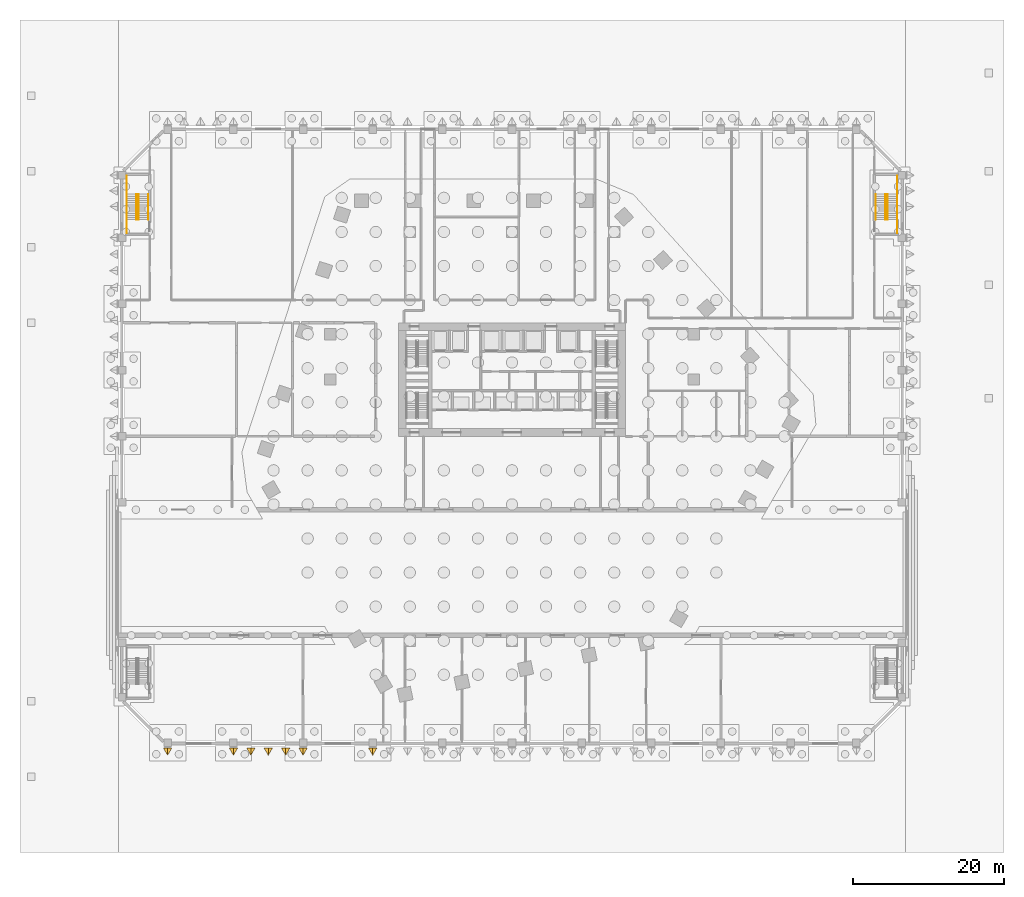
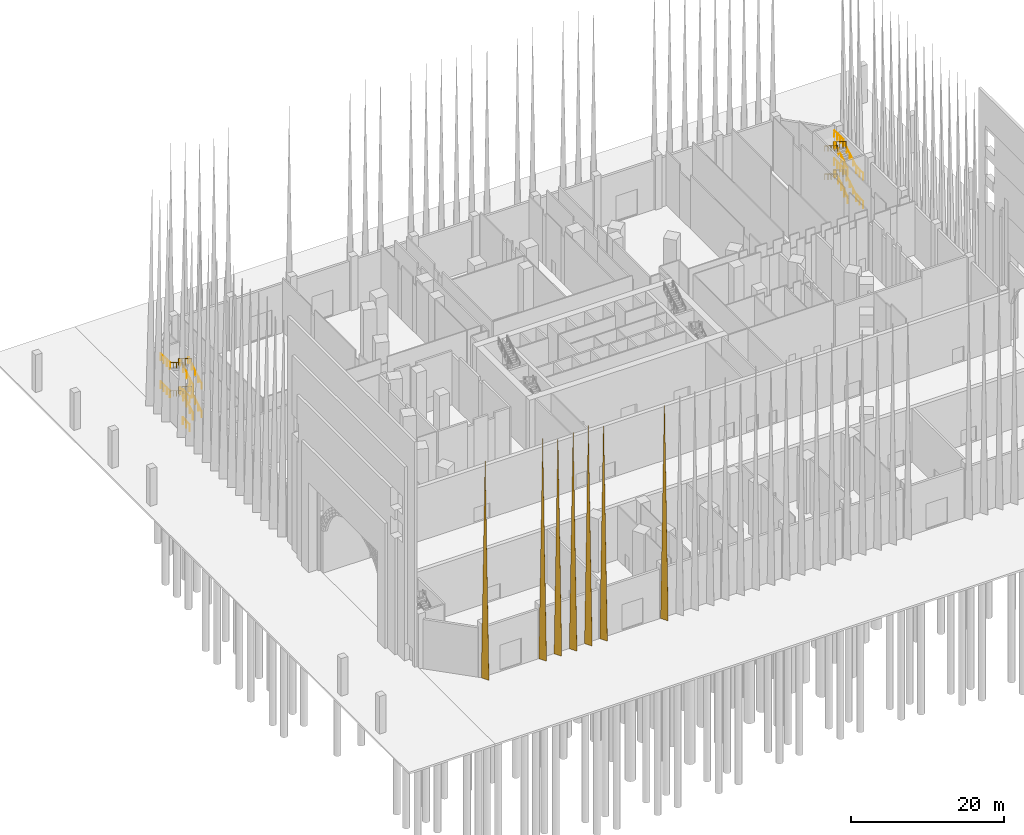
# One storey, part 28 of 32: 24 railings, 7 coverings.
"""IFC4 building model written with IfcOpenShell, lengths in metres."""

from ifc_helpers import new_model, si_unit, direction, frame, origin, origin_2d, place, context, subcontext, project, spatial, polyline, circle, outline, extrude, faceted_brep, material, material_profile, profile_set, type_object, element, save


model = new_model("IFC4")

# Units and contexts
model_context = context("Model", 3, precision=1e-05, world=origin(), true_north=direction((0.0, 1.0)))
body_context = subcontext(model_context, "Body", "Model", "MODEL_VIEW")
ifc_project = project(units=[si_unit("LENGTHUNIT", "METRE"), si_unit("AREAUNIT", "SQUARE_METRE"), si_unit("VOLUMEUNIT", "CUBIC_METRE"), si_unit("PLANEANGLEUNIT", "RADIAN"), si_unit("MASSUNIT", "GRAM", prefix="KILO")], contexts=[model_context])

# Site, building, storey
site_placement = place(None, origin())
site = spatial("IfcSite", under=ifc_project, at=site_placement, CompositionType="ELEMENT")
building_placement = place(site_placement, origin())
building = spatial("IfcBuilding", under=site, at=building_placement, Name="Isthmus Gate Tower", CompositionType="ELEMENT")
storey_placement = place(building_placement, origin())
storey = spatial("IfcBuildingStorey", under=building, at=storey_placement, Name="L00", CompositionType="ELEMENT", Elevation=0.0)

# Coverings
ifc_material_1 = material(Name="Structural steel ASTM A572 Gr 50, white paint system", Category="steel")
ifc_material_profile = material_profile(ifc_material_1, outline(polyline([(0.0, -0.577392578125), (1.0, 0.0), (0.0, 0.577392578125), (0.0, 0.542724609375), (0.93994140625, 0.0), (0.0, -0.542724609375), (0.0, -0.577392578125)])), Name="PV1000")
ifc_profile_set = profile_set([ifc_material_profile], Name="Structural steel ASTM A572 Gr 50, white paint system")
covering_type = type_object("IfcCoveringType", Name="PODIUM FIN V 1000 DEEP", PredefinedType="CLADDING", material=ifc_profile_set)
covering_1_placement = place(storey_placement, origin())
element("IfcCovering", 1, at=covering_1_placement, inside=storey, type_object=covering_type, Name="PODIUM FIN", ObjectType="PODIUM FIN", PredefinedType="CLADDING", context=body_context, shape_type="Brep", body=[
    faceted_brep([(-46.042724609375, -41.14990234375, 0.10009765625), (-45.5, -42.08984375, 0.10009765625), (-44.957275390625, -41.14990234375, 0.10009765625), (-44.922607421875, -41.14990234375, 0.10009765625), (-45.5, -42.14990234375, 0.10009765625), (-46.077392578125, -41.14990234375, 0.10009765625), (-45.5, -41.14990234375, 35.60009765625)], [[[0, 1, 2, 3, 4, 5]], [[5, 4, 6]], [[4, 3, 6]], [[3, 2, 6]], [[2, 1, 6]], [[1, 0, 6]], [[0, 5, 6]]]),
])
covering_2_placement = place(storey_placement, origin())
element("IfcCovering", 2, at=covering_2_placement, inside=storey, type_object=covering_type, Name="PODIUM FIN", ObjectType="PODIUM FIN", PredefinedType="CLADDING", context=body_context, shape_type="Brep", body=[
    faceted_brep([(-37.3427734375, -41.14990234375, 0.10009765625), (-36.800048828125, -42.08984375, 0.10009765625), (-36.25732421875, -41.14990234375, 0.10009765625), (-36.22265625, -41.14990234375, 0.10009765625), (-36.800048828125, -42.14990234375, 0.10009765625), (-37.37744140625, -41.14990234375, 0.10009765625), (-36.800048828125, -41.14990234375, 35.60009765625)], [[[0, 1, 2, 3, 4, 5]], [[5, 4, 6]], [[4, 3, 6]], [[3, 2, 6]], [[2, 1, 6]], [[1, 0, 6]], [[0, 5, 6]]]),
])
covering_3_placement = place(storey_placement, origin())
element("IfcCovering", 3, at=covering_3_placement, inside=storey, type_object=covering_type, Name="PODIUM FIN", ObjectType="PODIUM FIN", PredefinedType="CLADDING", context=body_context, shape_type="Brep", body=[
    faceted_brep([(-28.142822265625, -41.14990234375, 0.10009765625), (-27.60009765625, -42.08984375, 0.10009765625), (-27.057373046875, -41.14990234375, 0.10009765625), (-27.022705078125, -41.14990234375, 0.10009765625), (-27.60009765625, -42.14990234375, 0.10009765625), (-28.177490234375, -41.14990234375, 0.10009765625), (-27.60009765625, -41.14990234375, 35.60009765625)], [[[0, 1, 2, 3, 4, 5]], [[5, 4, 6]], [[4, 3, 6]], [[3, 2, 6]], [[2, 1, 6]], [[1, 0, 6]], [[0, 5, 6]]]),
])
covering_4_placement = place(storey_placement, origin())
element("IfcCovering", 4, at=covering_4_placement, inside=storey, type_object=covering_type, Name="PODIUM FIN", ObjectType="PODIUM FIN", PredefinedType="CLADDING", context=body_context, shape_type="Brep", body=[
    faceted_brep([(-18.942626953125, -41.14990234375, 0.10009765625), (-18.39990234375, -42.08984375, 0.10009765625), (-17.857177734375, -41.14990234375, 0.10009765625), (-17.822509765625, -41.14990234375, 0.10009765625), (-18.39990234375, -42.14990234375, 0.10009765625), (-18.977294921875, -41.14990234375, 0.10009765625), (-18.39990234375, -41.14990234375, 35.60009765625)], [[[0, 1, 2, 3, 4, 5]], [[5, 4, 6]], [[4, 3, 6]], [[3, 2, 6]], [[2, 1, 6]], [[1, 0, 6]], [[0, 5, 6]]]),
])
covering_5_placement = place(storey_placement, origin())
element("IfcCovering", 5, at=covering_5_placement, inside=storey, type_object=covering_type, Name="PODIUM FIN", ObjectType="PODIUM FIN", PredefinedType="CLADDING", context=body_context, shape_type="Brep", body=[
    faceted_brep([(-35.042724609375, -41.14990234375, 0.10009765625), (-34.5, -42.08984375, 0.10009765625), (-33.957275390625, -41.14990234375, 0.10009765625), (-33.922607421875, -41.14990234375, 0.10009765625), (-34.5, -42.14990234375, 0.10009765625), (-35.077392578125, -41.14990234375, 0.10009765625), (-34.5, -41.14990234375, 35.60009765625)], [[[0, 1, 2, 3, 4, 5]], [[5, 4, 6]], [[4, 3, 6]], [[3, 2, 6]], [[2, 1, 6]], [[1, 0, 6]], [[0, 5, 6]]]),
])
covering_6_placement = place(storey_placement, origin())
element("IfcCovering", 6, at=covering_6_placement, inside=storey, type_object=covering_type, Name="PODIUM FIN", ObjectType="PODIUM FIN", PredefinedType="CLADDING", context=body_context, shape_type="Brep", body=[
    faceted_brep([(-32.74267578125, -41.14990234375, 0.10009765625), (-32.199951171875, -42.08984375, 0.10009765625), (-31.6572265625, -41.14990234375, 0.10009765625), (-31.62255859375, -41.14990234375, 0.10009765625), (-32.199951171875, -42.14990234375, 0.10009765625), (-32.77734375, -41.14990234375, 0.10009765625), (-32.199951171875, -41.14990234375, 35.60009765625)], [[[0, 1, 2, 3, 4, 5]], [[5, 4, 6]], [[4, 3, 6]], [[3, 2, 6]], [[2, 1, 6]], [[1, 0, 6]], [[0, 5, 6]]]),
])
covering_7_placement = place(storey_placement, origin())
element("IfcCovering", 7, at=covering_7_placement, inside=storey, type_object=covering_type, Name="PODIUM FIN", ObjectType="PODIUM FIN", PredefinedType="CLADDING", context=body_context, shape_type="Brep", body=[
    faceted_brep([(-30.442626953125, -41.14990234375, 0.10009765625), (-29.89990234375, -42.08984375, 0.10009765625), (-29.357177734375, -41.14990234375, 0.10009765625), (-29.322509765625, -41.14990234375, 0.10009765625), (-29.89990234375, -42.14990234375, 0.10009765625), (-30.477294921875, -41.14990234375, 0.10009765625), (-29.89990234375, -41.14990234375, 35.60009765625)], [[[0, 1, 2, 3, 4, 5]], [[5, 4, 6]], [[4, 3, 6]], [[3, 2, 6]], [[2, 1, 6]], [[1, 0, 6]], [[0, 5, 6]]]),
])

# Railings
ifc_material_2 = material(Name="Painted steel balusters with timber handrail", Category="steel")
railing_type_1 = type_object("IfcRailingType", Name="Podium stair guard 1100", PredefinedType="GUARDRAIL", material=ifc_material_2)
railing_1_placement = place(storey_placement, frame((49.60009765625, 28.625, 0.173095703125)))
element("IfcRailing", 8, at=railing_1_placement, inside=storey, type_object=railing_type_1, Name="L00 ST5 stair guard 1", PredefinedType="GUARDRAIL", context=body_context, shape_type="SweptSolid", body=[
    extrude(circle(Radius=0.02392578125, at=origin_2d()), frame((0.0, 0.0, 1.076171875), z_axis=(0.0, 0.850623216509, 0.525775754039), x_axis=(-1.0, 0.0, 0.0)), (0.0, 0.0, 1.0), 3.9501953125),
    extrude(circle(Radius=0.02099609375, at=origin_2d()), origin(), (0.0, 0.0, 1.0), 1.052001953125),
    extrude(circle(Radius=0.02099609375, at=origin_2d()), frame((0.0, 0.840087890625, 0.519287109375)), (0.0, 0.0, 1.0), 1.052001953125),
    extrude(circle(Radius=0.02099609375, at=origin_2d()), frame((0.0, 1.68017578125, 1.03857421875)), (0.0, 0.0, 1.0), 1.052001953125),
    extrude(circle(Radius=0.02099609375, at=origin_2d()), frame((0.0, 2.52001953125, 1.5576171875)), (0.0, 0.0, 1.0), 1.052001953125),
    extrude(circle(Radius=0.02099609375, at=origin_2d()), frame((0.0, 3.360107421875, 2.076904296875)), (0.0, 0.0, 1.0), 1.052001953125),
])
railing_2_placement = place(storey_placement, frame((50.89990234375, 31.985107421875, 2.25)))
element("IfcRailing", 9, at=railing_2_placement, inside=storey, type_object=railing_type_1, Name="L00 ST5 stair guard 2", PredefinedType="GUARDRAIL", context=body_context, shape_type="SweptSolid", body=[
    extrude(circle(Radius=0.02392578125, at=origin_2d()), frame((0.0, 0.0, 1.076171875), z_axis=(0.0, 1.0, 0.0), x_axis=(-1.0, 0.0, 0.0)), (0.0, 0.0, 1.0), 2.43994140625),
    extrude(circle(Radius=0.02099609375, at=origin_2d()), origin(), (0.0, 0.0, 1.0), 1.052001953125),
    extrude(circle(Radius=0.02099609375, at=origin_2d()), frame((0.0, 0.813232421875, 0.0)), (0.0, 0.0, 1.0), 1.052001953125),
    extrude(circle(Radius=0.02099609375, at=origin_2d()), frame((0.0, 1.626708984375, 0.0)), (0.0, 0.0, 1.0), 1.052001953125),
    extrude(circle(Radius=0.02099609375, at=origin_2d()), frame((0.0, 2.43994140625, 0.0)), (0.0, 0.0, 1.0), 1.052001953125),
])
railing_3_placement = place(storey_placement, frame((49.35009765625, 31.985107421875, 2.423095703125)))
element("IfcRailing", 10, at=railing_3_placement, inside=storey, type_object=railing_type_1, Name="L00 ST5 stair guard 3", PredefinedType="GUARDRAIL", context=body_context, shape_type="SweptSolid", body=[
    extrude(circle(Radius=0.02392578125, at=origin_2d()), frame((0.0, 0.0, 1.076171875), z_axis=(0.0, -0.850623216509, 0.525775754039), x_axis=(1.0, 0.0, 0.0)), (0.0, 0.0, 1.0), 3.9501953125),
    extrude(circle(Radius=0.02099609375, at=origin_2d()), origin(), (0.0, 0.0, 1.0), 1.052001953125),
    extrude(circle(Radius=0.02099609375, at=origin_2d()), frame((0.0, -0.840087890625, 0.519287109375)), (0.0, 0.0, 1.0), 1.052001953125),
    extrude(circle(Radius=0.02099609375, at=origin_2d()), frame((0.0, -1.68017578125, 1.03857421875)), (0.0, 0.0, 1.0), 1.052001953125),
    extrude(circle(Radius=0.02099609375, at=origin_2d()), frame((0.0, -2.52001953125, 1.5576171875)), (0.0, 0.0, 1.0), 1.052001953125),
    extrude(circle(Radius=0.02099609375, at=origin_2d()), frame((0.0, -3.360107421875, 2.076904296875)), (0.0, 0.0, 1.0), 1.052001953125),
])
railing_4_placement = place(storey_placement, frame((50.89990234375, 26.824951171875, 4.5)))
element("IfcRailing", 11, at=railing_4_placement, inside=storey, type_object=railing_type_1, Name="L00 ST5 stair guard 4", PredefinedType="GUARDRAIL", context=body_context, shape_type="SweptSolid", body=[
    extrude(circle(Radius=0.02392578125, at=origin_2d()), frame((0.0, 0.0, 1.076171875), z_axis=(0.0, 1.0, 0.0), x_axis=(-1.0, 0.0, 0.0)), (0.0, 0.0, 1.0), 1.800048828125),
    extrude(circle(Radius=0.02099609375, at=origin_2d()), origin(), (0.0, 0.0, 1.0), 1.052001953125),
    extrude(circle(Radius=0.02099609375, at=origin_2d()), frame((0.0, 0.89990234375, 0.0)), (0.0, 0.0, 1.0), 1.052001953125),
    extrude(circle(Radius=0.02099609375, at=origin_2d()), frame((0.0, 1.800048828125, 0.0)), (0.0, 0.0, 1.0), 1.052001953125),
])
railing_5_placement = place(storey_placement, frame((49.60009765625, 28.625, 4.673095703125)))
element("IfcRailing", 12, at=railing_5_placement, inside=storey, type_object=railing_type_1, Name="L00 ST5 stair guard 5", PredefinedType="GUARDRAIL", context=body_context, shape_type="SweptSolid", body=[
    extrude(circle(Radius=0.02392578125, at=origin_2d()), frame((0.0, 0.0, 1.076171875), z_axis=(0.0, 0.850623216509, 0.525775754039), x_axis=(-1.0, 0.0, 0.0)), (0.0, 0.0, 1.0), 3.9501953125),
    extrude(circle(Radius=0.02099609375, at=origin_2d()), origin(), (0.0, 0.0, 1.0), 1.052001953125),
    extrude(circle(Radius=0.02099609375, at=origin_2d()), frame((0.0, 0.840087890625, 0.519287109375)), (0.0, 0.0, 1.0), 1.052001953125),
    extrude(circle(Radius=0.02099609375, at=origin_2d()), frame((0.0, 1.68017578125, 1.03857421875)), (0.0, 0.0, 1.0), 1.052001953125),
    extrude(circle(Radius=0.02099609375, at=origin_2d()), frame((0.0, 2.52001953125, 1.5576171875)), (0.0, 0.0, 1.0), 1.052001953125),
    extrude(circle(Radius=0.02099609375, at=origin_2d()), frame((0.0, 3.360107421875, 2.076904296875)), (0.0, 0.0, 1.0), 1.052001953125),
])
railing_6_placement = place(storey_placement, frame((50.89990234375, 31.985107421875, 6.75)))
element("IfcRailing", 13, at=railing_6_placement, inside=storey, type_object=railing_type_1, Name="L00 ST5 stair guard 6", PredefinedType="GUARDRAIL", context=body_context, shape_type="SweptSolid", body=[
    extrude(circle(Radius=0.02392578125, at=origin_2d()), frame((0.0, 0.0, 1.076171875), z_axis=(0.0, 1.0, 0.0), x_axis=(-1.0, 0.0, 0.0)), (0.0, 0.0, 1.0), 2.43994140625),
    extrude(circle(Radius=0.02099609375, at=origin_2d()), origin(), (0.0, 0.0, 1.0), 1.052001953125),
    extrude(circle(Radius=0.02099609375, at=origin_2d()), frame((0.0, 0.813232421875, 0.0)), (0.0, 0.0, 1.0), 1.052001953125),
    extrude(circle(Radius=0.02099609375, at=origin_2d()), frame((0.0, 1.626708984375, 0.0)), (0.0, 0.0, 1.0), 1.052001953125),
    extrude(circle(Radius=0.02099609375, at=origin_2d()), frame((0.0, 2.43994140625, 0.0)), (0.0, 0.0, 1.0), 1.052001953125),
])
railing_7_placement = place(storey_placement, frame((49.35009765625, 31.985107421875, 6.923095703125)))
element("IfcRailing", 14, at=railing_7_placement, inside=storey, type_object=railing_type_1, Name="L00 ST5 stair guard 7", PredefinedType="GUARDRAIL", context=body_context, shape_type="SweptSolid", body=[
    extrude(circle(Radius=0.02392578125, at=origin_2d()), frame((0.0, 0.0, 1.076171875), z_axis=(0.0, -0.850623216509, 0.525775754039), x_axis=(1.0, 0.0, 0.0)), (0.0, 0.0, 1.0), 3.9501953125),
    extrude(circle(Radius=0.02099609375, at=origin_2d()), origin(), (0.0, 0.0, 1.0), 1.052001953125),
    extrude(circle(Radius=0.02099609375, at=origin_2d()), frame((0.0, -0.840087890625, 0.519287109375)), (0.0, 0.0, 1.0), 1.052001953125),
    extrude(circle(Radius=0.02099609375, at=origin_2d()), frame((0.0, -1.68017578125, 1.03857421875)), (0.0, 0.0, 1.0), 1.052001953125),
    extrude(circle(Radius=0.02099609375, at=origin_2d()), frame((0.0, -2.52001953125, 1.5576171875)), (0.0, 0.0, 1.0), 1.052001953125),
    extrude(circle(Radius=0.02099609375, at=origin_2d()), frame((0.0, -3.360107421875, 2.076904296875)), (0.0, 0.0, 1.0), 1.052001953125),
])
railing_8_placement = place(storey_placement, frame((50.89990234375, 26.824951171875, 0.0)))
element("IfcRailing", 15, at=railing_8_placement, inside=storey, type_object=railing_type_1, Name="L00 ST5 stair guard 8", PredefinedType="GUARDRAIL", context=body_context, shape_type="SweptSolid", body=[
    extrude(circle(Radius=0.02392578125, at=origin_2d()), frame((0.0, 0.0, 1.076171875), z_axis=(0.0, 1.0, 0.0), x_axis=(-1.0, 0.0, 0.0)), (0.0, 0.0, 1.0), 1.800048828125),
    extrude(circle(Radius=0.02099609375, at=origin_2d()), origin(), (0.0, 0.0, 1.0), 1.052001953125),
    extrude(circle(Radius=0.02099609375, at=origin_2d()), frame((0.0, 0.89990234375, 0.0)), (0.0, 0.0, 1.0), 1.052001953125),
    extrude(circle(Radius=0.02099609375, at=origin_2d()), frame((0.0, 1.800048828125, 0.0)), (0.0, 0.0, 1.0), 1.052001953125),
])
railing_9_placement = place(storey_placement, frame((-49.35009765625, 28.625, 0.173095703125)))
element("IfcRailing", 16, at=railing_9_placement, inside=storey, type_object=railing_type_1, Name="L00 ST6 stair guard 1", PredefinedType="GUARDRAIL", context=body_context, shape_type="SweptSolid", body=[
    extrude(circle(Radius=0.02392578125, at=origin_2d()), frame((0.0, 0.0, 1.076171875), z_axis=(0.0, 0.850623216509, 0.525775754039), x_axis=(-1.0, 0.0, 0.0)), (0.0, 0.0, 1.0), 3.9501953125),
    extrude(circle(Radius=0.02099609375, at=origin_2d()), origin(), (0.0, 0.0, 1.0), 1.052001953125),
    extrude(circle(Radius=0.02099609375, at=origin_2d()), frame((0.0, 0.840087890625, 0.519287109375)), (0.0, 0.0, 1.0), 1.052001953125),
    extrude(circle(Radius=0.02099609375, at=origin_2d()), frame((0.0, 1.68017578125, 1.03857421875)), (0.0, 0.0, 1.0), 1.052001953125),
    extrude(circle(Radius=0.02099609375, at=origin_2d()), frame((0.0, 2.52001953125, 1.5576171875)), (0.0, 0.0, 1.0), 1.052001953125),
    extrude(circle(Radius=0.02099609375, at=origin_2d()), frame((0.0, 3.360107421875, 2.076904296875)), (0.0, 0.0, 1.0), 1.052001953125),
])
railing_10_placement = place(storey_placement, frame((-50.89990234375, 31.985107421875, 2.25)))
element("IfcRailing", 17, at=railing_10_placement, inside=storey, type_object=railing_type_1, Name="L00 ST6 stair guard 2", PredefinedType="GUARDRAIL", context=body_context, shape_type="SweptSolid", body=[
    extrude(circle(Radius=0.02392578125, at=origin_2d()), frame((0.0, 0.0, 1.076171875), z_axis=(0.0, 1.0, 0.0), x_axis=(-1.0, 0.0, 0.0)), (0.0, 0.0, 1.0), 2.43994140625),
    extrude(circle(Radius=0.02099609375, at=origin_2d()), origin(), (0.0, 0.0, 1.0), 1.052001953125),
    extrude(circle(Radius=0.02099609375, at=origin_2d()), frame((0.0, 0.813232421875, 0.0)), (0.0, 0.0, 1.0), 1.052001953125),
    extrude(circle(Radius=0.02099609375, at=origin_2d()), frame((0.0, 1.626708984375, 0.0)), (0.0, 0.0, 1.0), 1.052001953125),
    extrude(circle(Radius=0.02099609375, at=origin_2d()), frame((0.0, 2.43994140625, 0.0)), (0.0, 0.0, 1.0), 1.052001953125),
])
railing_11_placement = place(storey_placement, frame((-49.60009765625, 31.985107421875, 2.423095703125)))
element("IfcRailing", 18, at=railing_11_placement, inside=storey, type_object=railing_type_1, Name="L00 ST6 stair guard 3", PredefinedType="GUARDRAIL", context=body_context, shape_type="SweptSolid", body=[
    extrude(circle(Radius=0.02392578125, at=origin_2d()), frame((0.0, 0.0, 1.076171875), z_axis=(0.0, -0.850623216509, 0.525775754039), x_axis=(1.0, 0.0, 0.0)), (0.0, 0.0, 1.0), 3.9501953125),
    extrude(circle(Radius=0.02099609375, at=origin_2d()), origin(), (0.0, 0.0, 1.0), 1.052001953125),
    extrude(circle(Radius=0.02099609375, at=origin_2d()), frame((0.0, -0.840087890625, 0.519287109375)), (0.0, 0.0, 1.0), 1.052001953125),
    extrude(circle(Radius=0.02099609375, at=origin_2d()), frame((0.0, -1.68017578125, 1.03857421875)), (0.0, 0.0, 1.0), 1.052001953125),
    extrude(circle(Radius=0.02099609375, at=origin_2d()), frame((0.0, -2.52001953125, 1.5576171875)), (0.0, 0.0, 1.0), 1.052001953125),
    extrude(circle(Radius=0.02099609375, at=origin_2d()), frame((0.0, -3.360107421875, 2.076904296875)), (0.0, 0.0, 1.0), 1.052001953125),
])
railing_12_placement = place(storey_placement, frame((-50.89990234375, 26.824951171875, 4.5)))
element("IfcRailing", 19, at=railing_12_placement, inside=storey, type_object=railing_type_1, Name="L00 ST6 stair guard 4", PredefinedType="GUARDRAIL", context=body_context, shape_type="SweptSolid", body=[
    extrude(circle(Radius=0.02392578125, at=origin_2d()), frame((0.0, 0.0, 1.076171875), z_axis=(0.0, 1.0, 0.0), x_axis=(-1.0, 0.0, 0.0)), (0.0, 0.0, 1.0), 1.800048828125),
    extrude(circle(Radius=0.02099609375, at=origin_2d()), origin(), (0.0, 0.0, 1.0), 1.052001953125),
    extrude(circle(Radius=0.02099609375, at=origin_2d()), frame((0.0, 0.89990234375, 0.0)), (0.0, 0.0, 1.0), 1.052001953125),
    extrude(circle(Radius=0.02099609375, at=origin_2d()), frame((0.0, 1.800048828125, 0.0)), (0.0, 0.0, 1.0), 1.052001953125),
])
railing_13_placement = place(storey_placement, frame((-49.35009765625, 28.625, 4.673095703125)))
element("IfcRailing", 20, at=railing_13_placement, inside=storey, type_object=railing_type_1, Name="L00 ST6 stair guard 5", PredefinedType="GUARDRAIL", context=body_context, shape_type="SweptSolid", body=[
    extrude(circle(Radius=0.02392578125, at=origin_2d()), frame((0.0, 0.0, 1.076171875), z_axis=(0.0, 0.850623216509, 0.525775754039), x_axis=(-1.0, 0.0, 0.0)), (0.0, 0.0, 1.0), 3.9501953125),
    extrude(circle(Radius=0.02099609375, at=origin_2d()), origin(), (0.0, 0.0, 1.0), 1.052001953125),
    extrude(circle(Radius=0.02099609375, at=origin_2d()), frame((0.0, 0.840087890625, 0.519287109375)), (0.0, 0.0, 1.0), 1.052001953125),
    extrude(circle(Radius=0.02099609375, at=origin_2d()), frame((0.0, 1.68017578125, 1.03857421875)), (0.0, 0.0, 1.0), 1.052001953125),
    extrude(circle(Radius=0.02099609375, at=origin_2d()), frame((0.0, 2.52001953125, 1.5576171875)), (0.0, 0.0, 1.0), 1.052001953125),
    extrude(circle(Radius=0.02099609375, at=origin_2d()), frame((0.0, 3.360107421875, 2.076904296875)), (0.0, 0.0, 1.0), 1.052001953125),
])
railing_14_placement = place(storey_placement, frame((-50.89990234375, 31.985107421875, 6.75)))
element("IfcRailing", 21, at=railing_14_placement, inside=storey, type_object=railing_type_1, Name="L00 ST6 stair guard 6", PredefinedType="GUARDRAIL", context=body_context, shape_type="SweptSolid", body=[
    extrude(circle(Radius=0.02392578125, at=origin_2d()), frame((0.0, 0.0, 1.076171875), z_axis=(0.0, 1.0, 0.0), x_axis=(-1.0, 0.0, 0.0)), (0.0, 0.0, 1.0), 2.43994140625),
    extrude(circle(Radius=0.02099609375, at=origin_2d()), origin(), (0.0, 0.0, 1.0), 1.052001953125),
    extrude(circle(Radius=0.02099609375, at=origin_2d()), frame((0.0, 0.813232421875, 0.0)), (0.0, 0.0, 1.0), 1.052001953125),
    extrude(circle(Radius=0.02099609375, at=origin_2d()), frame((0.0, 1.626708984375, 0.0)), (0.0, 0.0, 1.0), 1.052001953125),
    extrude(circle(Radius=0.02099609375, at=origin_2d()), frame((0.0, 2.43994140625, 0.0)), (0.0, 0.0, 1.0), 1.052001953125),
])
railing_15_placement = place(storey_placement, frame((-49.60009765625, 31.985107421875, 6.923095703125)))
element("IfcRailing", 22, at=railing_15_placement, inside=storey, type_object=railing_type_1, Name="L00 ST6 stair guard 7", PredefinedType="GUARDRAIL", context=body_context, shape_type="SweptSolid", body=[
    extrude(circle(Radius=0.02392578125, at=origin_2d()), frame((0.0, 0.0, 1.076171875), z_axis=(0.0, -0.850623216509, 0.525775754039), x_axis=(1.0, 0.0, 0.0)), (0.0, 0.0, 1.0), 3.9501953125),
    extrude(circle(Radius=0.02099609375, at=origin_2d()), origin(), (0.0, 0.0, 1.0), 1.052001953125),
    extrude(circle(Radius=0.02099609375, at=origin_2d()), frame((0.0, -0.840087890625, 0.519287109375)), (0.0, 0.0, 1.0), 1.052001953125),
    extrude(circle(Radius=0.02099609375, at=origin_2d()), frame((0.0, -1.68017578125, 1.03857421875)), (0.0, 0.0, 1.0), 1.052001953125),
    extrude(circle(Radius=0.02099609375, at=origin_2d()), frame((0.0, -2.52001953125, 1.5576171875)), (0.0, 0.0, 1.0), 1.052001953125),
    extrude(circle(Radius=0.02099609375, at=origin_2d()), frame((0.0, -3.360107421875, 2.076904296875)), (0.0, 0.0, 1.0), 1.052001953125),
])
railing_16_placement = place(storey_placement, frame((-50.89990234375, 26.824951171875, 0.0)))
element("IfcRailing", 23, at=railing_16_placement, inside=storey, type_object=railing_type_1, Name="L00 ST6 stair guard 8", PredefinedType="GUARDRAIL", context=body_context, shape_type="SweptSolid", body=[
    extrude(circle(Radius=0.02392578125, at=origin_2d()), frame((0.0, 0.0, 1.076171875), z_axis=(0.0, 1.0, 0.0), x_axis=(-1.0, 0.0, 0.0)), (0.0, 0.0, 1.0), 1.800048828125),
    extrude(circle(Radius=0.02099609375, at=origin_2d()), origin(), (0.0, 0.0, 1.0), 1.052001953125),
    extrude(circle(Radius=0.02099609375, at=origin_2d()), frame((0.0, 0.89990234375, 0.0)), (0.0, 0.0, 1.0), 1.052001953125),
    extrude(circle(Radius=0.02099609375, at=origin_2d()), frame((0.0, 1.800048828125, 0.0)), (0.0, 0.0, 1.0), 1.052001953125),
])
ifc_material_3 = material(Name="Stainless steel tube", Category="steel")
railing_type_2 = type_object("IfcRailingType", Name="Podium stair handrail 900", PredefinedType="HANDRAIL", material=ifc_material_3)
railing_17_placement = place(storey_placement, frame((50.89990234375, 28.625, 0.173095703125)))
element("IfcRailing", 24, at=railing_17_placement, inside=storey, type_object=railing_type_2, Name="L00 ST5 stair handrail 1", PredefinedType="HANDRAIL", context=body_context, shape_type="SweptSolid", body=[
    extrude(circle(Radius=0.02392578125, at=origin_2d()), frame((0.0, 0.0, 0.8759765625), z_axis=(0.0, 0.850623216509, 0.525775754039), x_axis=(-1.0, 0.0, 0.0)), (0.0, 0.0, 1.0), 3.9501953125),
    extrude(circle(Radius=0.02099609375, at=origin_2d()), origin(), (0.0, 0.0, 1.0), 0.851806640625),
    extrude(circle(Radius=0.02099609375, at=origin_2d()), frame((0.0, 0.840087890625, 0.519287109375)), (0.0, 0.0, 1.0), 0.851806640625),
    extrude(circle(Radius=0.02099609375, at=origin_2d()), frame((0.0, 1.68017578125, 1.03857421875)), (0.0, 0.0, 1.0), 0.851806640625),
    extrude(circle(Radius=0.02099609375, at=origin_2d()), frame((0.0, 2.52001953125, 1.5576171875)), (0.0, 0.0, 1.0), 0.851806640625),
    extrude(circle(Radius=0.02099609375, at=origin_2d()), frame((0.0, 3.360107421875, 2.076904296875)), (0.0, 0.0, 1.0), 0.851806640625),
])
railing_18_placement = place(storey_placement, frame((48.050048828125, 31.985107421875, 2.423095703125)))
element("IfcRailing", 25, at=railing_18_placement, inside=storey, type_object=railing_type_2, Name="L00 ST5 stair handrail 2", PredefinedType="HANDRAIL", context=body_context, shape_type="SweptSolid", body=[
    extrude(circle(Radius=0.02392578125, at=origin_2d()), frame((0.0, 0.0, 0.8759765625), z_axis=(0.0, -0.850623216509, 0.525775754039), x_axis=(1.0, 0.0, 0.0)), (0.0, 0.0, 1.0), 3.9501953125),
    extrude(circle(Radius=0.02099609375, at=origin_2d()), origin(), (0.0, 0.0, 1.0), 0.851806640625),
    extrude(circle(Radius=0.02099609375, at=origin_2d()), frame((0.0, -0.840087890625, 0.519287109375)), (0.0, 0.0, 1.0), 0.851806640625),
    extrude(circle(Radius=0.02099609375, at=origin_2d()), frame((0.0, -1.68017578125, 1.03857421875)), (0.0, 0.0, 1.0), 0.851806640625),
    extrude(circle(Radius=0.02099609375, at=origin_2d()), frame((0.0, -2.52001953125, 1.5576171875)), (0.0, 0.0, 1.0), 0.851806640625),
    extrude(circle(Radius=0.02099609375, at=origin_2d()), frame((0.0, -3.360107421875, 2.076904296875)), (0.0, 0.0, 1.0), 0.851806640625),
])
railing_19_placement = place(storey_placement, frame((50.89990234375, 28.625, 4.673095703125)))
element("IfcRailing", 26, at=railing_19_placement, inside=storey, type_object=railing_type_2, Name="L00 ST5 stair handrail 3", PredefinedType="HANDRAIL", context=body_context, shape_type="SweptSolid", body=[
    extrude(circle(Radius=0.02392578125, at=origin_2d()), frame((0.0, 0.0, 0.8759765625), z_axis=(0.0, 0.850623216509, 0.525775754039), x_axis=(-1.0, 0.0, 0.0)), (0.0, 0.0, 1.0), 3.9501953125),
    extrude(circle(Radius=0.02099609375, at=origin_2d()), origin(), (0.0, 0.0, 1.0), 0.851806640625),
    extrude(circle(Radius=0.02099609375, at=origin_2d()), frame((0.0, 0.840087890625, 0.519287109375)), (0.0, 0.0, 1.0), 0.851806640625),
    extrude(circle(Radius=0.02099609375, at=origin_2d()), frame((0.0, 1.68017578125, 1.03857421875)), (0.0, 0.0, 1.0), 0.851806640625),
    extrude(circle(Radius=0.02099609375, at=origin_2d()), frame((0.0, 2.52001953125, 1.5576171875)), (0.0, 0.0, 1.0), 0.851806640625),
    extrude(circle(Radius=0.02099609375, at=origin_2d()), frame((0.0, 3.360107421875, 2.076904296875)), (0.0, 0.0, 1.0), 0.851806640625),
])
railing_20_placement = place(storey_placement, frame((48.050048828125, 31.985107421875, 6.923095703125)))
element("IfcRailing", 27, at=railing_20_placement, inside=storey, type_object=railing_type_2, Name="L00 ST5 stair handrail 4", PredefinedType="HANDRAIL", context=body_context, shape_type="SweptSolid", body=[
    extrude(circle(Radius=0.02392578125, at=origin_2d()), frame((0.0, 0.0, 0.8759765625), z_axis=(0.0, -0.850623216509, 0.525775754039), x_axis=(1.0, 0.0, 0.0)), (0.0, 0.0, 1.0), 3.9501953125),
    extrude(circle(Radius=0.02099609375, at=origin_2d()), origin(), (0.0, 0.0, 1.0), 0.851806640625),
    extrude(circle(Radius=0.02099609375, at=origin_2d()), frame((0.0, -0.840087890625, 0.519287109375)), (0.0, 0.0, 1.0), 0.851806640625),
    extrude(circle(Radius=0.02099609375, at=origin_2d()), frame((0.0, -1.68017578125, 1.03857421875)), (0.0, 0.0, 1.0), 0.851806640625),
    extrude(circle(Radius=0.02099609375, at=origin_2d()), frame((0.0, -2.52001953125, 1.5576171875)), (0.0, 0.0, 1.0), 0.851806640625),
    extrude(circle(Radius=0.02099609375, at=origin_2d()), frame((0.0, -3.360107421875, 2.076904296875)), (0.0, 0.0, 1.0), 0.851806640625),
])
railing_21_placement = place(storey_placement, frame((-48.050048828125, 28.625, 0.173095703125)))
element("IfcRailing", 28, at=railing_21_placement, inside=storey, type_object=railing_type_2, Name="L00 ST6 stair handrail 1", PredefinedType="HANDRAIL", context=body_context, shape_type="SweptSolid", body=[
    extrude(circle(Radius=0.02392578125, at=origin_2d()), frame((0.0, 0.0, 0.8759765625), z_axis=(0.0, 0.850623216509, 0.525775754039), x_axis=(-1.0, 0.0, 0.0)), (0.0, 0.0, 1.0), 3.9501953125),
    extrude(circle(Radius=0.02099609375, at=origin_2d()), origin(), (0.0, 0.0, 1.0), 0.851806640625),
    extrude(circle(Radius=0.02099609375, at=origin_2d()), frame((0.0, 0.840087890625, 0.519287109375)), (0.0, 0.0, 1.0), 0.851806640625),
    extrude(circle(Radius=0.02099609375, at=origin_2d()), frame((0.0, 1.68017578125, 1.03857421875)), (0.0, 0.0, 1.0), 0.851806640625),
    extrude(circle(Radius=0.02099609375, at=origin_2d()), frame((0.0, 2.52001953125, 1.5576171875)), (0.0, 0.0, 1.0), 0.851806640625),
    extrude(circle(Radius=0.02099609375, at=origin_2d()), frame((0.0, 3.360107421875, 2.076904296875)), (0.0, 0.0, 1.0), 0.851806640625),
])
railing_22_placement = place(storey_placement, frame((-50.89990234375, 31.985107421875, 2.423095703125)))
element("IfcRailing", 29, at=railing_22_placement, inside=storey, type_object=railing_type_2, Name="L00 ST6 stair handrail 2", PredefinedType="HANDRAIL", context=body_context, shape_type="SweptSolid", body=[
    extrude(circle(Radius=0.02392578125, at=origin_2d()), frame((0.0, 0.0, 0.8759765625), z_axis=(0.0, -0.850623216509, 0.525775754039), x_axis=(1.0, 0.0, 0.0)), (0.0, 0.0, 1.0), 3.9501953125),
    extrude(circle(Radius=0.02099609375, at=origin_2d()), origin(), (0.0, 0.0, 1.0), 0.851806640625),
    extrude(circle(Radius=0.02099609375, at=origin_2d()), frame((0.0, -0.840087890625, 0.519287109375)), (0.0, 0.0, 1.0), 0.851806640625),
    extrude(circle(Radius=0.02099609375, at=origin_2d()), frame((0.0, -1.68017578125, 1.03857421875)), (0.0, 0.0, 1.0), 0.851806640625),
    extrude(circle(Radius=0.02099609375, at=origin_2d()), frame((0.0, -2.52001953125, 1.5576171875)), (0.0, 0.0, 1.0), 0.851806640625),
    extrude(circle(Radius=0.02099609375, at=origin_2d()), frame((0.0, -3.360107421875, 2.076904296875)), (0.0, 0.0, 1.0), 0.851806640625),
])
railing_23_placement = place(storey_placement, frame((-48.050048828125, 28.625, 4.673095703125)))
element("IfcRailing", 30, at=railing_23_placement, inside=storey, type_object=railing_type_2, Name="L00 ST6 stair handrail 3", PredefinedType="HANDRAIL", context=body_context, shape_type="SweptSolid", body=[
    extrude(circle(Radius=0.02392578125, at=origin_2d()), frame((0.0, 0.0, 0.8759765625), z_axis=(0.0, 0.850623216509, 0.525775754039), x_axis=(-1.0, 0.0, 0.0)), (0.0, 0.0, 1.0), 3.9501953125),
    extrude(circle(Radius=0.02099609375, at=origin_2d()), origin(), (0.0, 0.0, 1.0), 0.851806640625),
    extrude(circle(Radius=0.02099609375, at=origin_2d()), frame((0.0, 0.840087890625, 0.519287109375)), (0.0, 0.0, 1.0), 0.851806640625),
    extrude(circle(Radius=0.02099609375, at=origin_2d()), frame((0.0, 1.68017578125, 1.03857421875)), (0.0, 0.0, 1.0), 0.851806640625),
    extrude(circle(Radius=0.02099609375, at=origin_2d()), frame((0.0, 2.52001953125, 1.5576171875)), (0.0, 0.0, 1.0), 0.851806640625),
    extrude(circle(Radius=0.02099609375, at=origin_2d()), frame((0.0, 3.360107421875, 2.076904296875)), (0.0, 0.0, 1.0), 0.851806640625),
])
railing_24_placement = place(storey_placement, frame((-50.89990234375, 31.985107421875, 6.923095703125)))
element("IfcRailing", 31, at=railing_24_placement, inside=storey, type_object=railing_type_2, Name="L00 ST6 stair handrail 4", PredefinedType="HANDRAIL", context=body_context, shape_type="SweptSolid", body=[
    extrude(circle(Radius=0.02392578125, at=origin_2d()), frame((0.0, 0.0, 0.8759765625), z_axis=(0.0, -0.850623216509, 0.525775754039), x_axis=(1.0, 0.0, 0.0)), (0.0, 0.0, 1.0), 3.9501953125),
    extrude(circle(Radius=0.02099609375, at=origin_2d()), origin(), (0.0, 0.0, 1.0), 0.851806640625),
    extrude(circle(Radius=0.02099609375, at=origin_2d()), frame((0.0, -0.840087890625, 0.519287109375)), (0.0, 0.0, 1.0), 0.851806640625),
    extrude(circle(Radius=0.02099609375, at=origin_2d()), frame((0.0, -1.68017578125, 1.03857421875)), (0.0, 0.0, 1.0), 0.851806640625),
    extrude(circle(Radius=0.02099609375, at=origin_2d()), frame((0.0, -2.52001953125, 1.5576171875)), (0.0, 0.0, 1.0), 0.851806640625),
    extrude(circle(Radius=0.02099609375, at=origin_2d()), frame((0.0, -3.360107421875, 2.076904296875)), (0.0, 0.0, 1.0), 0.851806640625),
])

save(model, "model.ifc")
